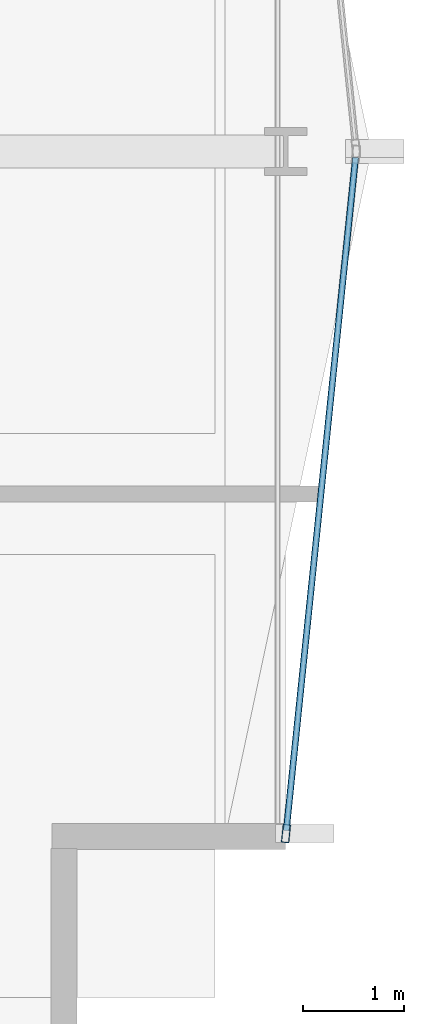
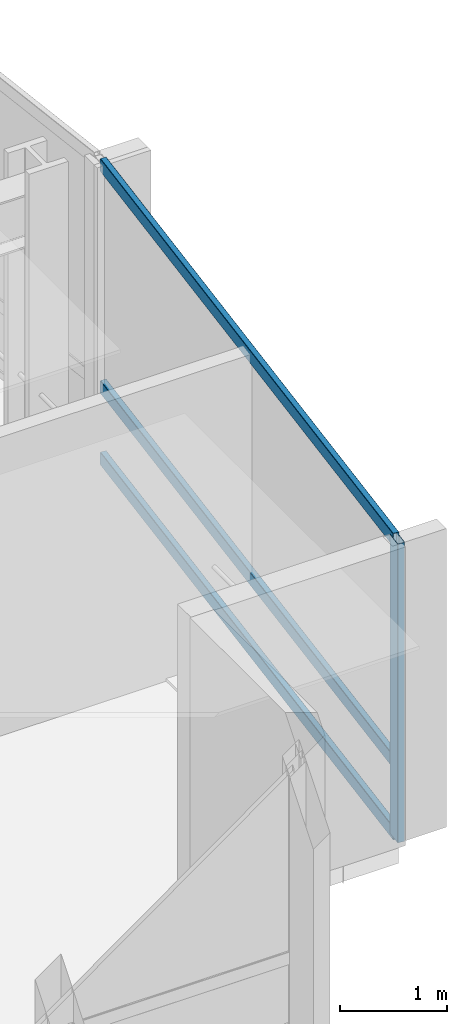
# One storey, part 13 of 34: 4 members, 1 element without a shape of its own.
"""IFC4 building model written with IfcOpenShell, lengths in metres."""

from ifc_helpers import new_model, si_unit, direction, frame, origin, origin_2d, place, context, subcontext, project, spatial, hollow_rectangle, extrude, material, layer, layer_set, material_profile, profile_set, type_object, element, aggregate, save


model = new_model("IFC4")

# Units and contexts
model_context = context("Model", 3, precision=1e-05, world=origin(), true_north=direction((0.0, 1.0)))
body_context = subcontext(model_context, "Body", "Model", "MODEL_VIEW")
ifc_project = project(units=[si_unit("LENGTHUNIT", "METRE"), si_unit("AREAUNIT", "SQUARE_METRE"), si_unit("VOLUMEUNIT", "CUBIC_METRE"), si_unit("PLANEANGLEUNIT", "RADIAN"), si_unit("MASSUNIT", "GRAM", prefix="KILO")], contexts=[model_context])

# Site, building, storey
site_placement = place(None, origin())
site = spatial("IfcSite", under=ifc_project, at=site_placement, CompositionType="ELEMENT")
building_placement = place(site_placement, origin())
building = spatial("IfcBuilding", under=site, at=building_placement, Name="Solvaryn Broadcast Tower", CompositionType="ELEMENT")
storey_placement = place(building_placement, frame((0.0, 0.0, 69.300048828125)))
storey = spatial("IfcBuildingStorey", under=building, at=storey_placement, Name="L16", CompositionType="ELEMENT", Elevation=69.300048828125)

# Curtain wall, members
ifc_material_1 = material(Name="Aluminium and Terracotta Unitised Curtain Wall", Category="masonry")
ifc_layer = layer(ifc_material_1, 0.199951171875)
ifc_layer_set = layer_set([ifc_layer], Name="CW-SYS2-LOWMID")
curtain_wall_type = type_object("IfcCurtainWallType", Name="CW-SYS2-LOWMID", PredefinedType="NOTDEFINED", material=ifc_layer_set)
curtain_wall_placement = place(storey_placement, origin())
curtain_wall = element("IfcCurtainWall", 1, at=curtain_wall_placement, inside=storey, type_object=curtain_wall_type, Name="L16 Curtain Wall ET2", PredefinedType="NOTDEFINED")
ifc_material_2 = material(Name="Anodised Aluminium 6063-T6", Category="aluminium")
ifc_material_profile_1 = material_profile(ifc_material_2, hollow_rectangle(XDim=0.074951171875, YDim=0.179931640625, WallThickness=0.00390625, InnerFilletRadius=0.00390625, OuterFilletRadius=0.008056640625, at=origin_2d()))
ifc_profile_set_1 = profile_set([ifc_material_profile_1], Name="Anodised Aluminium 6063-T6")
member_type_1 = type_object("IfcMemberType", Name="CW-MUL-180", PredefinedType="MULLION", material=ifc_profile_set_1)
member_1_placement = place(storey_placement, frame((63.003173828125, 11.229736328125, 0.0), z_axis=(0.0, 0.0, 1.0), x_axis=(0.99474329889, -0.10240004548, 0.0)))
member_1 = element("IfcMember", 2, at=member_1_placement, type_object=member_type_1, Name="CWS2 mullion 2", PredefinedType="MULLION", context=body_context, shape_type="SweptSolid", body=[
    extrude(hollow_rectangle(XDim=0.074951171875, YDim=0.179931640625, WallThickness=0.00390625, InnerFilletRadius=0.00390625, OuterFilletRadius=0.008056640625, at=origin_2d()), origin(), (0.0, 0.0, 1.0), 3.419921875),
])
ifc_material_3 = material(Name="Anodised Aluminium 6063-T6", Category="aluminium")
ifc_material_profile_2 = material_profile(ifc_material_3, hollow_rectangle(XDim=0.06494140625, YDim=0.14990234375, WallThickness=0.00390625, InnerFilletRadius=0.00390625, OuterFilletRadius=0.008056640625, at=origin_2d()))
ifc_profile_set_2 = profile_set([ifc_material_profile_2], Name="Anodised Aluminium 6063-T6")
member_type_2 = type_object("IfcMemberType", Name="CW-TRN-150", PredefinedType="USERDEFINED", material=ifc_profile_set_2)
member_2_placement = place(storey_placement, frame((63.69384765625, 17.9404296875, 0.030029296875), z_axis=(-0.102404277363, -0.994742863245, 0.0), x_axis=(0.994742863245, -0.102404277363, 0.0)))
member_2 = element("IfcMember", 3, at=member_2_placement, type_object=member_type_2, Name="CWS2 transom 1.1", ObjectType="TRANSOM", PredefinedType="USERDEFINED", context=body_context, shape_type="SweptSolid", body=[
    extrude(hollow_rectangle(XDim=0.06494140625, YDim=0.14990234375, WallThickness=0.00390625, InnerFilletRadius=0.00390625, OuterFilletRadius=0.008056640625, at=origin_2d()), origin(), (0.0, 0.0, 1.0), 6.716064453125),
])
member_3_placement = place(storey_placement, frame((63.69384765625, 17.9404296875, 0.849853515625), z_axis=(-0.102404277363, -0.994742863245, 0.0), x_axis=(0.994742863245, -0.102404277363, 0.0)))
member_3 = element("IfcMember", 4, at=member_3_placement, type_object=member_type_2, Name="CWS2 transom 1.2", ObjectType="TRANSOM", PredefinedType="USERDEFINED", context=body_context, shape_type="SweptSolid", body=[
    extrude(hollow_rectangle(XDim=0.06494140625, YDim=0.14990234375, WallThickness=0.00390625, InnerFilletRadius=0.00390625, OuterFilletRadius=0.008056640625, at=origin_2d()), origin(), (0.0, 0.0, 1.0), 6.716064453125),
])
member_4_placement = place(storey_placement, frame((63.69384765625, 17.9404296875, 3.389892578125), z_axis=(-0.102404277363, -0.994742863245, 0.0), x_axis=(0.994742863245, -0.102404277363, 0.0)))
member_4 = element("IfcMember", 5, at=member_4_placement, type_object=member_type_2, Name="CWS2 transom 1.3", ObjectType="TRANSOM", PredefinedType="USERDEFINED", context=body_context, shape_type="SweptSolid", body=[
    extrude(hollow_rectangle(XDim=0.06494140625, YDim=0.14990234375, WallThickness=0.00390625, InnerFilletRadius=0.00390625, OuterFilletRadius=0.008056640625, at=origin_2d()), origin(), (0.0, 0.0, 1.0), 6.716064453125),
])
aggregate(curtain_wall, [member_1, member_2, member_3, member_4])

save(model, "model.ifc")
